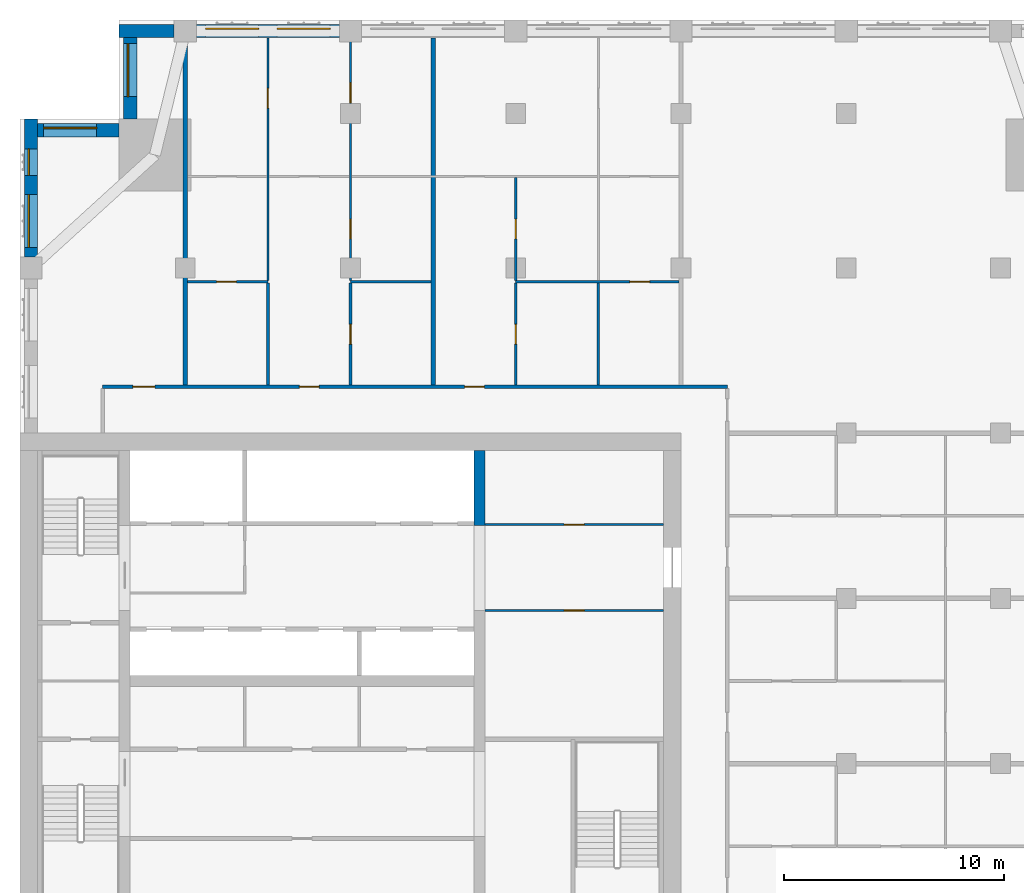
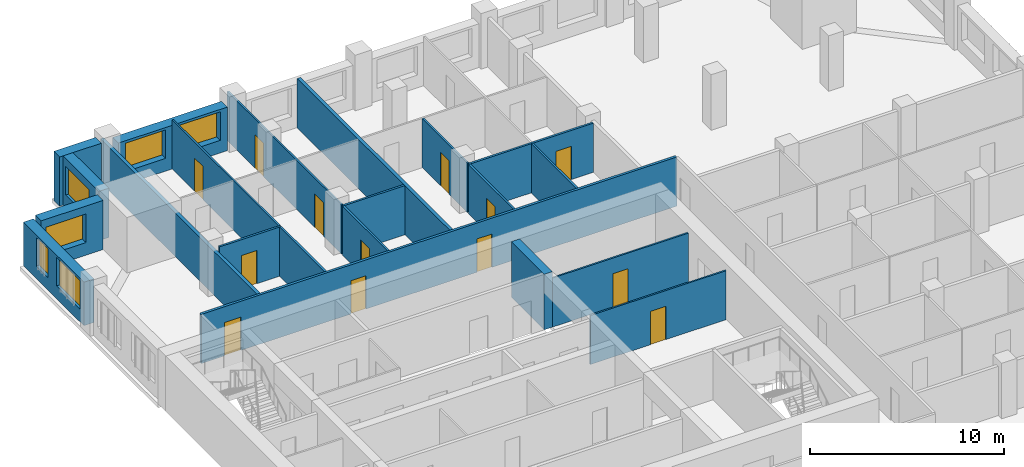
# One storey, part 10 of 14: 21 walls, 13 doors, 6 windows, 19 openings.
"""IFC4 building model written with IfcOpenShell, lengths in metres."""

from ifc_helpers import new_model, si_unit, direction, frame, frame_2d, origin, place, context, subcontext, project, spatial, rectangle, extrude, material, layer, layer_set, type_object, element, fill, save


model = new_model("IFC4")

# Units and contexts
model_context = context("Model", 3, precision=1e-05, world=origin(), true_north=direction((0.0, 1.0)))
body_context = subcontext(model_context, "Body", "Model", "MODEL_VIEW")
ifc_project = project(units=[si_unit("LENGTHUNIT", "METRE"), si_unit("AREAUNIT", "SQUARE_METRE"), si_unit("VOLUMEUNIT", "CUBIC_METRE"), si_unit("PLANEANGLEUNIT", "RADIAN"), si_unit("MASSUNIT", "GRAM", prefix="KILO")], contexts=[model_context])

# Site, building, storey
site_placement = place(None, origin())
site = spatial("IfcSite", under=ifc_project, at=site_placement, CompositionType="ELEMENT")
building_placement = place(site_placement, origin())
building = spatial("IfcBuilding", under=site, at=building_placement, Name="Tamorin Gate", CompositionType="ELEMENT")
storey_placement = place(building_placement, frame((0.0, 0.0, 210.699951171875)))
storey = spatial("IfcBuildingStorey", under=building, at=storey_placement, Name="L52", CompositionType="ELEMENT", Elevation=210.699951171875)

# Wall, openings, windows
ifc_material_1 = material(Name="Precast concrete C40/50", Category="concrete")
ifc_layer_1 = layer(ifc_material_1, 0.60009765625)
ifc_layer_set_1 = layer_set([ifc_layer_1], Name="Precast concrete C40/50")
wall_type_1 = type_object("IfcWallType", Name="Board-marked concrete facade panel 600", PredefinedType="SOLIDWALL", material=ifc_layer_set_1)
wall_1_placement = place(storey_placement, frame((44.5, 100.75, 0.0), z_axis=(0.0, 0.0, 1.0), x_axis=(-1.0, 0.0, 0.0)))
wall_1 = element("IfcWall", 1, at=wall_1_placement, inside=storey, type_object=wall_type_1, Name="Facade panel", PredefinedType="SOLIDWALL", context=body_context, shape_type="SweptSolid", body=[
    extrude(rectangle(XDim=6.5, YDim=0.60009765625, at=frame_2d((3.25, 0.0))), origin(), (0.0, 0.0, 1.0), 2.75),
])
opening_1_placement = place(wall_1_placement, frame((3.675048828125, 0.0, 0.800048828125)))
opening_1 = element("IfcOpeningElement", 2, at=opening_1_placement, cuts=wall_1, Name="Opening WN1", PredefinedType="OPENING", context=body_context, shape_type="SweptSolid", body=[
    extrude(rectangle(XDim=2.39990234375, YDim=1.800048828125, at=frame_2d((1.199951171875, 0.89990234375))), frame((0.0, 0.31005859375, 0.0), z_axis=(0.0, -1.0, 0.0), x_axis=(1.0, 0.0, 0.0)), (0.0, 0.0, 1.0), 0.6201171875),
])
opening_2_placement = place(wall_1_placement, frame((0.425048828125, 0.0, 0.800048828125)))
opening_2 = element("IfcOpeningElement", 3, at=opening_2_placement, cuts=wall_1, Name="Opening WN1", PredefinedType="OPENING", context=body_context, shape_type="SweptSolid", body=[
    extrude(rectangle(XDim=2.39990234375, YDim=1.800048828125, at=frame_2d((1.199951171875, 0.89990234375))), frame((0.0, 0.31005859375, 0.0), z_axis=(0.0, -1.0, 0.0), x_axis=(1.0, 0.0, 0.0)), (0.0, 0.0, 1.0), 0.6201171875),
])
ifc_material_2 = material(Name="Clear glass in aluminium frame", Category="aluminium")
window_type_1 = type_object("IfcWindowType", Name="Deep-set window 2400x1800", PartitioningType="SINGLE_PANEL", PredefinedType="WINDOW", material=ifc_material_2)
window_1_placement = place(opening_1_placement, origin())
window_1 = element("IfcWindow", 4, at=window_1_placement, inside=storey, type_object=window_type_1, Name="Deep-set window", OverallHeight=1.800048828125, OverallWidth=2.39990234375, PartitioningType="SINGLE_PANEL", PredefinedType="WINDOW", context=body_context, shape_type="SweptSolid", body=[
    extrude(rectangle(XDim=2.39990234375, YDim=1.800048828125, at=frame_2d((1.199951171875, 0.89990234375))), frame((0.0, -0.070068359375, 0.0), z_axis=(0.0, -1.0, 0.0), x_axis=(1.0, 0.0, 0.0)), (0.0, 0.0, 1.0), 0.06005859375),
])
fill(opening_1, window_1)
window_2_placement = place(opening_2_placement, origin())
window_2 = element("IfcWindow", 5, at=window_2_placement, inside=storey, type_object=window_type_1, Name="Deep-set window", OverallHeight=1.800048828125, OverallWidth=2.39990234375, PartitioningType="SINGLE_PANEL", PredefinedType="WINDOW", context=body_context, shape_type="SweptSolid", body=[
    extrude(rectangle(XDim=2.39990234375, YDim=1.800048828125, at=frame_2d((1.199951171875, 0.89990234375))), frame((0.0, -0.070068359375, 0.0), z_axis=(0.0, -1.0, 0.0), x_axis=(1.0, 0.0, 0.0)), (0.0, 0.0, 1.0), 0.06005859375),
])
fill(opening_2, window_2)

# Wall
wall_2_placement = place(storey_placement, frame((37.0, 100.75, 0.0), z_axis=(0.0, 0.0, 1.0), x_axis=(-1.0, 0.0, 0.0)))
element("IfcWall", 6, at=wall_2_placement, inside=storey, type_object=wall_type_1, Name="Facade panel", PredefinedType="SOLIDWALL", context=body_context, shape_type="SweptSolid", body=[
    extrude(rectangle(XDim=2.5, YDim=0.60009765625, at=frame_2d((1.25, 0.0))), origin(), (0.0, 0.0, 1.0), 3.10009765625),
])

# Wall, opening, window
wall_3_placement = place(storey_placement, frame((35.0, 100.449951171875, 0.0), z_axis=(0.0, 0.0, 1.0), x_axis=(0.0, -1.0, 0.0)))
wall_3 = element("IfcWall", 7, at=wall_3_placement, inside=storey, type_object=wall_type_1, Name="Facade panel", PredefinedType="SOLIDWALL", context=body_context, shape_type="SweptSolid", body=[
    extrude(rectangle(XDim=3.699951171875, YDim=0.60009765625, at=frame_2d((1.85009765625, 0.0))), origin(), (0.0, 0.0, 1.0), 3.10009765625),
])
opening_3_placement = place(wall_3_placement, frame((0.27490234375, 0.0, 0.800048828125)))
opening_3 = element("IfcOpeningElement", 8, at=opening_3_placement, cuts=wall_3, Name="Opening WN1", PredefinedType="OPENING", context=body_context, shape_type="SweptSolid", body=[
    extrude(rectangle(XDim=2.39990234375, YDim=1.800048828125, at=frame_2d((1.199951171875, 0.89990234375))), frame((0.0, 0.31005859375, 0.0), z_axis=(0.0, -1.0, 0.0), x_axis=(1.0, 0.0, 0.0)), (0.0, 0.0, 1.0), 0.6201171875),
])
window_3_placement = place(opening_3_placement, origin())
window_3 = element("IfcWindow", 9, at=window_3_placement, inside=storey, type_object=window_type_1, Name="Deep-set window", OverallHeight=1.800048828125, OverallWidth=2.39990234375, PartitioningType="SINGLE_PANEL", PredefinedType="WINDOW", context=body_context, shape_type="SweptSolid", body=[
    extrude(rectangle(XDim=2.39990234375, YDim=1.800048828125, at=frame_2d((1.199951171875, 0.89990234375))), frame((0.0, -0.070068359375, 0.0), z_axis=(0.0, -1.0, 0.0), x_axis=(1.0, 0.0, 0.0)), (0.0, 0.0, 1.0), 0.06005859375),
])
fill(opening_3, window_3)

wall_4_placement = place(storey_placement, frame((34.5, 96.25, 0.0), z_axis=(0.0, 0.0, 1.0), x_axis=(-1.0, 0.0, 0.0)))
wall_4 = element("IfcWall", 10, at=wall_4_placement, inside=storey, type_object=wall_type_1, Name="Facade panel", PredefinedType="SOLIDWALL", context=body_context, shape_type="SweptSolid", body=[
    extrude(rectangle(XDim=3.699951171875, YDim=0.60009765625, at=frame_2d((1.85009765625, 0.0))), origin(), (0.0, 0.0, 1.0), 3.10009765625),
])
opening_4_placement = place(wall_4_placement, frame((1.02490234375, 0.0, 0.800048828125)))
opening_4 = element("IfcOpeningElement", 11, at=opening_4_placement, cuts=wall_4, Name="Opening WN1", PredefinedType="OPENING", context=body_context, shape_type="SweptSolid", body=[
    extrude(rectangle(XDim=2.39990234375, YDim=1.800048828125, at=frame_2d((1.199951171875, 0.89990234375))), frame((0.0, 0.31005859375, 0.0), z_axis=(0.0, -1.0, 0.0), x_axis=(1.0, 0.0, 0.0)), (0.0, 0.0, 1.0), 0.6201171875),
])
window_4_placement = place(opening_4_placement, origin())
window_4 = element("IfcWindow", 12, at=window_4_placement, inside=storey, type_object=window_type_1, Name="Deep-set window", OverallHeight=1.800048828125, OverallWidth=2.39990234375, PartitioningType="SINGLE_PANEL", PredefinedType="WINDOW", context=body_context, shape_type="SweptSolid", body=[
    extrude(rectangle(XDim=2.39990234375, YDim=1.800048828125, at=frame_2d((1.199951171875, 0.89990234375))), frame((0.0, -0.070068359375, 0.0), z_axis=(0.0, -1.0, 0.0), x_axis=(1.0, 0.0, 0.0)), (0.0, 0.0, 1.0), 0.06005859375),
])
fill(opening_4, window_4)

# Wall, openings, windows
wall_5_placement = place(storey_placement, frame((30.5, 96.75, 0.0), z_axis=(0.0, 0.0, 1.0), x_axis=(0.0, -1.0, 0.0)))
wall_5 = element("IfcWall", 13, at=wall_5_placement, inside=storey, type_object=wall_type_1, Name="Facade panel", PredefinedType="SOLIDWALL", context=body_context, shape_type="SweptSolid", body=[
    extrude(rectangle(XDim=6.25, YDim=0.60009765625, at=frame_2d((3.125, 0.0))), origin(), (0.0, 0.0, 1.0), 2.75),
])
opening_5_placement = place(wall_5_placement, frame((3.425048828125, 0.0, 0.800048828125)))
opening_5 = element("IfcOpeningElement", 14, at=opening_5_placement, cuts=wall_5, Name="Opening WN1", PredefinedType="OPENING", context=body_context, shape_type="SweptSolid", body=[
    extrude(rectangle(XDim=2.39990234375, YDim=1.800048828125, at=frame_2d((1.199951171875, 0.89990234375))), frame((0.0, 0.31005859375, 0.0), z_axis=(0.0, -1.0, 0.0), x_axis=(1.0, 0.0, 0.0)), (0.0, 0.0, 1.0), 0.6201171875),
])
opening_6_placement = place(wall_5_placement, frame((1.35009765625, 0.0, 0.800048828125)))
opening_6 = element("IfcOpeningElement", 15, at=opening_6_placement, cuts=wall_5, Name="Opening WN3", PredefinedType="OPENING", context=body_context, shape_type="SweptSolid", body=[
    extrude(rectangle(XDim=1.199951171875, YDim=1.800048828125, at=frame_2d((0.60009765625, 0.89990234375))), frame((0.0, 0.31005859375, 0.0), z_axis=(0.0, -1.0, 0.0), x_axis=(1.0, 0.0, 0.0)), (0.0, 0.0, 1.0), 0.6201171875),
])
window_type_2 = type_object("IfcWindowType", Name="Deep-set window 1200x1800", PartitioningType="SINGLE_PANEL", PredefinedType="WINDOW", material=ifc_material_2)
window_5_placement = place(opening_6_placement, origin())
window_5 = element("IfcWindow", 16, at=window_5_placement, inside=storey, type_object=window_type_2, Name="Deep-set window", OverallHeight=1.800048828125, OverallWidth=1.199951171875, PartitioningType="SINGLE_PANEL", PredefinedType="WINDOW", context=body_context, shape_type="SweptSolid", body=[
    extrude(rectangle(XDim=1.199951171875, YDim=1.800048828125, at=frame_2d((0.60009765625, 0.89990234375))), frame((0.0, -0.070068359375, 0.0), z_axis=(0.0, -1.0, 0.0), x_axis=(1.0, 0.0, 0.0)), (0.0, 0.0, 1.0), 0.06005859375),
])
fill(opening_6, window_5)
window_6_placement = place(opening_5_placement, origin())
window_6 = element("IfcWindow", 17, at=window_6_placement, inside=storey, type_object=window_type_1, Name="Deep-set window", OverallHeight=1.800048828125, OverallWidth=2.39990234375, PartitioningType="SINGLE_PANEL", PredefinedType="WINDOW", context=body_context, shape_type="SweptSolid", body=[
    extrude(rectangle(XDim=2.39990234375, YDim=1.800048828125, at=frame_2d((1.199951171875, 0.89990234375))), frame((0.0, -0.070068359375, 0.0), z_axis=(0.0, -1.0, 0.0), x_axis=(1.0, 0.0, 0.0)), (0.0, 0.0, 1.0), 0.06005859375),
])
fill(opening_5, window_6)

# Wall, openings, doors
ifc_material_3 = material(Name="Gypsum board partition")
ifc_layer_2 = layer(ifc_material_3, 0.14990234375)
ifc_layer_set_2 = layer_set([ifc_layer_2], Name="Corridor wall 150")
wall_type_2 = type_object("IfcWallType", Name="Corridor wall 150", PredefinedType="PARTITIONING", material=ifc_layer_set_2)
wall_6_placement = place(storey_placement, frame((33.75, 84.60009765625, 0.0), z_axis=(0.0, 0.0, 1.0), x_axis=(1.0, 0.0, 0.0)))
wall_6 = element("IfcWall", 18, at=wall_6_placement, inside=storey, type_object=wall_type_2, Name="Corridor wall 150", PredefinedType="PARTITIONING", context=body_context, shape_type="SweptSolid", body=[
    extrude(rectangle(XDim=28.35009765625, YDim=0.14990234375, at=frame_2d((14.175048828125, 0.0))), origin(), (0.0, 0.0, 1.0), 3.10009765625),
])
opening_7_placement = place(wall_6_placement, frame((1.375, 0.0, 0.0)))
opening_7 = element("IfcOpeningElement", 19, at=opening_7_placement, cuts=wall_6, Name="Opening DR2019", PredefinedType="OPENING", context=body_context, shape_type="SweptSolid", body=[
    extrude(rectangle(XDim=1.0, YDim=2.10009765625, at=frame_2d((0.5, 1.050048828125))), frame((0.0, 0.0849609375, 0.0), z_axis=(0.0, -1.0, 0.0), x_axis=(1.0, 0.0, 0.0)), (0.0, 0.0, 1.0), 0.169921875),
])
opening_8_placement = place(wall_6_placement, frame((8.925048828125, 0.0, 0.0)))
opening_8 = element("IfcOpeningElement", 20, at=opening_8_placement, cuts=wall_6, Name="Opening DR2022", PredefinedType="OPENING", context=body_context, shape_type="SweptSolid", body=[
    extrude(rectangle(XDim=0.89990234375, YDim=2.10009765625, at=frame_2d((0.449951171875, 1.050048828125))), frame((0.0, 0.0849609375, 0.0), z_axis=(0.0, -1.0, 0.0), x_axis=(1.0, 0.0, 0.0)), (0.0, 0.0, 1.0), 0.169921875),
])
opening_9_placement = place(wall_6_placement, frame((16.425048828125, 0.0, 0.0)))
opening_9 = element("IfcOpeningElement", 21, at=opening_9_placement, cuts=wall_6, Name="Opening DR2028", PredefinedType="OPENING", context=body_context, shape_type="SweptSolid", body=[
    extrude(rectangle(XDim=0.89990234375, YDim=2.10009765625, at=frame_2d((0.449951171875, 1.050048828125))), frame((0.0, 0.0849609375, 0.0), z_axis=(0.0, -1.0, 0.0), x_axis=(1.0, 0.0, 0.0)), (0.0, 0.0, 1.0), 0.169921875),
])
ifc_material_4 = material(Name="Timber door leaf", Category="wood")
door_type_1 = type_object("IfcDoorType", Name="Door 1000 x 2100 FD30S", OperationType="NOTDEFINED", PredefinedType="DOOR", material=ifc_material_4)
door_1_placement = place(opening_7_placement, origin())
door_1 = element("IfcDoor", 22, at=door_1_placement, inside=storey, type_object=door_type_1, Name="Door DR2019", OperationType="SINGLE_SWING_LEFT", OverallHeight=2.10009765625, OverallWidth=1.0, PredefinedType="DOOR", context=body_context, shape_type="SweptSolid", body=[
    extrude(rectangle(XDim=1.0, YDim=2.10009765625, at=frame_2d((0.5, 1.050048828125))), frame((0.0, 0.02490234375, 0.0), z_axis=(0.0, -1.0, 0.0), x_axis=(1.0, 0.0, 0.0)), (0.0, 0.0, 1.0), 0.050048828125),
])
fill(opening_7, door_1)
door_type_2 = type_object("IfcDoorType", Name="Door 900 x 2100 FD30S", OperationType="NOTDEFINED", PredefinedType="DOOR", material=ifc_material_4)
door_2_placement = place(opening_8_placement, origin())
door_2 = element("IfcDoor", 23, at=door_2_placement, inside=storey, type_object=door_type_2, Name="Door DR2022", OperationType="SINGLE_SWING_LEFT", OverallHeight=2.10009765625, OverallWidth=0.89990234375, PredefinedType="DOOR", context=body_context, shape_type="SweptSolid", body=[
    extrude(rectangle(XDim=0.89990234375, YDim=2.10009765625, at=frame_2d((0.449951171875, 1.050048828125))), frame((0.0, 0.02490234375, 0.0), z_axis=(0.0, -1.0, 0.0), x_axis=(1.0, 0.0, 0.0)), (0.0, 0.0, 1.0), 0.050048828125),
])
fill(opening_8, door_2)
door_3_placement = place(opening_9_placement, origin())
door_3 = element("IfcDoor", 24, at=door_3_placement, inside=storey, type_object=door_type_2, Name="Door DR2028", OperationType="SINGLE_SWING_LEFT", OverallHeight=2.10009765625, OverallWidth=0.89990234375, PredefinedType="DOOR", context=body_context, shape_type="SweptSolid", body=[
    extrude(rectangle(XDim=0.89990234375, YDim=2.10009765625, at=frame_2d((0.449951171875, 1.050048828125))), frame((0.0, 0.02490234375, 0.0), z_axis=(0.0, -1.0, 0.0), x_axis=(1.0, 0.0, 0.0)), (0.0, 0.0, 1.0), 0.050048828125),
])
fill(opening_9, door_3)

# Walls
ifc_layer_3 = layer(ifc_material_3, 0.199951171875)
ifc_layer_set_3 = layer_set([ifc_layer_3], Name="Demising wall 200")
wall_type_3 = type_object("IfcWallType", Name="Demising wall 200", PredefinedType="PARTITIONING", material=ifc_layer_set_3)
wall_7_placement = place(storey_placement, frame((37.5, 84.675048828125, 0.0), z_axis=(0.0, 0.0, 1.0), x_axis=(0.0, 1.0, 0.0)))
element("IfcWall", 25, at=wall_7_placement, inside=storey, type_object=wall_type_3, Name="Demising wall 200", PredefinedType="PARTITIONING", context=body_context, shape_type="SweptSolid", body=[
    extrude(rectangle(XDim=16.574951171875, YDim=0.199951171875, at=frame_2d((8.28759765625, 0.0))), origin(), (0.0, 0.0, 1.0), 2.75),
])
wall_8_placement = place(storey_placement, frame((48.75, 84.675048828125, 0.0), z_axis=(0.0, 0.0, 1.0), x_axis=(0.0, 1.0, 0.0)))
element("IfcWall", 26, at=wall_8_placement, inside=storey, type_object=wall_type_3, Name="Demising wall 200", PredefinedType="PARTITIONING", context=body_context, shape_type="SweptSolid", body=[
    extrude(rectangle(XDim=15.764892578125, YDim=0.199951171875, at=frame_2d((7.88232421875, 0.0))), origin(), (0.0, 0.0, 1.0), 3.10009765625),
])
ifc_material_5 = material(Name="Concrete C60/75", Category="concrete")
ifc_layer_4 = layer(ifc_material_5, 0.5)
ifc_layer_set_4 = layer_set([ifc_layer_4], Name="RC core internal wall 500 C60/75")
wall_type_4 = type_object("IfcWallType", Name="RC core internal wall 500 C60/75", PredefinedType="SHEAR", material=ifc_layer_set_4)
wall_9_placement = place(storey_placement, frame((50.85009765625, 78.300048828125, 0.0), z_axis=(0.0, 0.0, 1.0), x_axis=(0.0, 1.0, 0.0)))
element("IfcWall", 27, at=wall_9_placement, inside=storey, type_object=wall_type_4, Name="Core cross wall L52", PredefinedType="SHEAR", context=body_context, shape_type="SweptSolid", body=[
    extrude(rectangle(XDim=3.39990234375, YDim=0.5, at=frame_2d((1.699951171875, 0.0))), origin(), (0.0, 0.0, 1.0), 3.5),
])

# Wall, opening, door
ifc_layer_5 = layer(ifc_material_3, 0.10009765625)
ifc_layer_set_5 = layer_set([ifc_layer_5], Name="Room partition 100")
wall_type_5 = type_object("IfcWallType", Name="Room partition 100", PredefinedType="PARTITIONING", material=ifc_layer_set_5)
wall_10_placement = place(storey_placement, frame((41.25, 89.4375, 0.0), z_axis=(0.0, 0.0, 1.0), x_axis=(0.0, 1.0, 0.0)))
wall_10 = element("IfcWall", 28, at=wall_10_placement, inside=storey, type_object=wall_type_5, Name="Room partition 100", PredefinedType="PARTITIONING", context=body_context, shape_type="SweptSolid", body=[
    extrude(rectangle(XDim=11.00244140625, YDim=0.10009765625, at=frame_2d((5.501220703125, 0.0))), origin(), (0.0, 0.0, 1.0), 3.10009765625),
])
opening_10_placement = place(wall_10_placement, frame((7.8125, 0.0, 0.0)))
opening_10 = element("IfcOpeningElement", 29, at=opening_10_placement, cuts=wall_10, Name="Opening DR2026", PredefinedType="OPENING", context=body_context, shape_type="SweptSolid", body=[
    extrude(rectangle(XDim=0.89990234375, YDim=2.10009765625, at=frame_2d((0.449951171875, 1.050048828125))), frame((0.0, 0.06005859375, 0.0), z_axis=(0.0, -1.0, 0.0), x_axis=(1.0, 0.0, 0.0)), (0.0, 0.0, 1.0), 0.1201171875),
])
door_type_3 = type_object("IfcDoorType", Name="Door 900 x 2100", OperationType="NOTDEFINED", PredefinedType="DOOR", material=ifc_material_4)
door_4_placement = place(opening_10_placement, origin())
door_4 = element("IfcDoor", 30, at=door_4_placement, inside=storey, type_object=door_type_3, Name="Door DR2026", OperationType="SINGLE_SWING_RIGHT", OverallHeight=2.10009765625, OverallWidth=0.89990234375, PredefinedType="DOOR", context=body_context, shape_type="SweptSolid", body=[
    extrude(rectangle(XDim=0.89990234375, YDim=2.10009765625, at=frame_2d((0.449951171875, 1.050048828125))), frame((0.0, 0.02490234375, 0.0), z_axis=(0.0, -1.0, 0.0), x_axis=(1.0, 0.0, 0.0)), (0.0, 0.0, 1.0), 0.050048828125),
])
fill(opening_10, door_4)

# Wall, openings, doors
wall_11_placement = place(storey_placement, frame((45.0, 89.4375, 0.0), z_axis=(0.0, 0.0, 1.0), x_axis=(0.0, 1.0, 0.0)))
wall_11 = element("IfcWall", 31, at=wall_11_placement, inside=storey, type_object=wall_type_5, Name="Room partition 100", PredefinedType="PARTITIONING", context=body_context, shape_type="SweptSolid", body=[
    extrude(rectangle(XDim=11.8125, YDim=0.10009765625, at=frame_2d((5.90625, 0.0))), origin(), (0.0, 0.0, 1.0), 3.10009765625),
])
opening_11_placement = place(wall_11_placement, frame((1.875, 0.0, 0.0)))
opening_11 = element("IfcOpeningElement", 32, at=opening_11_placement, cuts=wall_11, Name="Opening DR2024", PredefinedType="OPENING", context=body_context, shape_type="SweptSolid", body=[
    extrude(rectangle(XDim=0.89990234375, YDim=2.10009765625, at=frame_2d((0.449951171875, 1.050048828125))), frame((0.0, 0.06005859375, 0.0), z_axis=(0.0, -1.0, 0.0), x_axis=(1.0, 0.0, 0.0)), (0.0, 0.0, 1.0), 0.1201171875),
])
opening_12_placement = place(wall_11_placement, frame((8.0625, 0.0, 0.0)))
opening_12 = element("IfcOpeningElement", 33, at=opening_12_placement, cuts=wall_11, Name="Opening DR2027", PredefinedType="OPENING", context=body_context, shape_type="SweptSolid", body=[
    extrude(rectangle(XDim=0.89990234375, YDim=2.10009765625, at=frame_2d((0.449951171875, 1.050048828125))), frame((0.0, 0.06005859375, 0.0), z_axis=(0.0, -1.0, 0.0), x_axis=(1.0, 0.0, 0.0)), (0.0, 0.0, 1.0), 0.1201171875),
])
door_5_placement = place(opening_11_placement, origin())
door_5 = element("IfcDoor", 34, at=door_5_placement, inside=storey, type_object=door_type_3, Name="Door DR2024", OperationType="SINGLE_SWING_LEFT", OverallHeight=2.10009765625, OverallWidth=0.89990234375, PredefinedType="DOOR", context=body_context, shape_type="SweptSolid", body=[
    extrude(rectangle(XDim=0.89990234375, YDim=2.10009765625, at=frame_2d((0.449951171875, 1.050048828125))), frame((0.0, 0.02490234375, 0.0), z_axis=(0.0, -1.0, 0.0), x_axis=(1.0, 0.0, 0.0)), (0.0, 0.0, 1.0), 0.050048828125),
])
fill(opening_11, door_5)
door_6_placement = place(opening_12_placement, origin())
door_6 = element("IfcDoor", 35, at=door_6_placement, inside=storey, type_object=door_type_3, Name="Door DR2027", OperationType="SINGLE_SWING_RIGHT", OverallHeight=2.10009765625, OverallWidth=0.89990234375, PredefinedType="DOOR", context=body_context, shape_type="SweptSolid", body=[
    extrude(rectangle(XDim=0.89990234375, YDim=2.10009765625, at=frame_2d((0.449951171875, 1.050048828125))), frame((0.0, 0.02490234375, 0.0), z_axis=(0.0, -1.0, 0.0), x_axis=(1.0, 0.0, 0.0)), (0.0, 0.0, 1.0), 0.050048828125),
])
fill(opening_12, door_6)

# Wall, opening, door
wall_12_placement = place(storey_placement, frame((52.5, 89.4375, 0.0), z_axis=(0.0, 0.0, 1.0), x_axis=(0.0, 1.0, 0.0)))
wall_12 = element("IfcWall", 36, at=wall_12_placement, inside=storey, type_object=wall_type_5, Name="Room partition 100", PredefinedType="PARTITIONING", context=body_context, shape_type="SweptSolid", body=[
    extrude(rectangle(XDim=4.66259765625, YDim=0.10009765625, at=frame_2d((2.331298828125, 0.0))), origin(), (0.0, 0.0, 1.0), 3.10009765625),
])
opening_13_placement = place(wall_12_placement, frame((1.875, 0.0, 0.0)))
opening_13 = element("IfcOpeningElement", 37, at=opening_13_placement, cuts=wall_12, Name="Opening DR2030", PredefinedType="OPENING", context=body_context, shape_type="SweptSolid", body=[
    extrude(rectangle(XDim=0.89990234375, YDim=2.10009765625, at=frame_2d((0.449951171875, 1.050048828125))), frame((0.0, 0.06005859375, 0.0), z_axis=(0.0, -1.0, 0.0), x_axis=(1.0, 0.0, 0.0)), (0.0, 0.0, 1.0), 0.1201171875),
])
door_7_placement = place(opening_13_placement, origin())
door_7 = element("IfcDoor", 38, at=door_7_placement, inside=storey, type_object=door_type_3, Name="Door DR2030", OperationType="SINGLE_SWING_LEFT", OverallHeight=2.10009765625, OverallWidth=0.89990234375, PredefinedType="DOOR", context=body_context, shape_type="SweptSolid", body=[
    extrude(rectangle(XDim=0.89990234375, YDim=2.10009765625, at=frame_2d((0.449951171875, 1.050048828125))), frame((0.0, 0.02490234375, 0.0), z_axis=(0.0, -1.0, 0.0), x_axis=(1.0, 0.0, 0.0)), (0.0, 0.0, 1.0), 0.050048828125),
])
fill(opening_13, door_7)

ifc_layer_6 = layer(ifc_material_3, 0.10009765625)
ifc_layer_set_6 = layer_set([ifc_layer_6], Name="Service room partition 100 EI 60")
wall_type_6 = type_object("IfcWallType", Name="Service room partition 100 EI 60", PredefinedType="PARTITIONING", material=ifc_layer_set_6)
wall_13_placement = place(storey_placement, frame((51.10009765625, 74.449951171875, 0.0), z_axis=(0.0, 0.0, 1.0), x_axis=(1.0, 0.0, 0.0)))
wall_13 = element("IfcWall", 39, at=wall_13_placement, inside=storey, type_object=wall_type_6, Name="Service room wall", PredefinedType="PARTITIONING", context=body_context, shape_type="SweptSolid", body=[
    extrude(rectangle(XDim=8.099853515625, YDim=0.10009765625, at=frame_2d((4.0498046875, 0.0))), origin(), (0.0, 0.0, 1.0), 3.090087890625),
])
opening_14_placement = place(wall_13_placement, frame((3.60009765625, 0.0, 0.0)))
opening_14 = element("IfcOpeningElement", 40, at=opening_14_placement, cuts=wall_13, Name="Opening DR1", PredefinedType="OPENING", context=body_context, shape_type="SweptSolid", body=[
    extrude(rectangle(XDim=0.89990234375, YDim=2.10009765625, at=frame_2d((0.449951171875, 1.050048828125))), frame((0.0, 0.06005859375, 0.0), z_axis=(0.0, -1.0, 0.0), x_axis=(1.0, 0.0, 0.0)), (0.0, 0.0, 1.0), 0.1201171875),
])
ifc_material_6 = material(Name="Steel fire door", Category="steel")
door_type_4 = type_object("IfcDoorType", Name="Riser access door 900 x 2100 EI 120", OperationType="SINGLE_SWING_LEFT", PredefinedType="DOOR", material=ifc_material_6)
door_8_placement = place(opening_14_placement, origin())
door_8 = element("IfcDoor", 41, at=door_8_placement, inside=storey, type_object=door_type_4, Name="Duct riser door", OperationType="SINGLE_SWING_RIGHT", OverallHeight=2.10009765625, OverallWidth=0.89990234375, PredefinedType="DOOR", context=body_context, shape_type="SweptSolid", body=[
    extrude(rectangle(XDim=0.89990234375, YDim=2.10009765625, at=frame_2d((0.449951171875, 1.050048828125))), frame((0.0, 0.02490234375, 0.0), z_axis=(0.0, -1.0, 0.0), x_axis=(1.0, 0.0, 0.0)), (0.0, 0.0, 1.0), 0.050048828125),
])
fill(opening_14, door_8)

wall_14_placement = place(storey_placement, frame((51.10009765625, 78.35009765625, 0.0), z_axis=(0.0, 0.0, 1.0), x_axis=(1.0, 0.0, 0.0)))
wall_14 = element("IfcWall", 42, at=wall_14_placement, inside=storey, type_object=wall_type_6, Name="Service room wall", PredefinedType="PARTITIONING", context=body_context, shape_type="SweptSolid", body=[
    extrude(rectangle(XDim=8.099853515625, YDim=0.10009765625, at=frame_2d((4.0498046875, 0.0))), origin(), (0.0, 0.0, 1.0), 3.090087890625),
])
opening_15_placement = place(wall_14_placement, frame((3.60009765625, 0.0, 0.0)))
opening_15 = element("IfcOpeningElement", 43, at=opening_15_placement, cuts=wall_14, Name="Opening DK1", PredefinedType="OPENING", context=body_context, shape_type="SweptSolid", body=[
    extrude(rectangle(XDim=0.89990234375, YDim=2.10009765625, at=frame_2d((0.449951171875, 1.050048828125))), frame((0.0, 0.06005859375, 0.0), z_axis=(0.0, -1.0, 0.0), x_axis=(1.0, 0.0, 0.0)), (0.0, 0.0, 1.0), 0.1201171875),
])
ifc_material_7 = material(Name="Timber fire door", Category="wood")
door_type_5 = type_object("IfcDoorType", Name="Service room door 900 x 2100 EI 60", OperationType="SINGLE_SWING_LEFT", PredefinedType="DOOR", material=ifc_material_7)
door_9_placement = place(opening_15_placement, origin())
door_9 = element("IfcDoor", 44, at=door_9_placement, inside=storey, type_object=door_type_5, Name="Door Store", OperationType="SINGLE_SWING_RIGHT", OverallHeight=2.10009765625, OverallWidth=0.89990234375, PredefinedType="DOOR", context=body_context, shape_type="SweptSolid", body=[
    extrude(rectangle(XDim=0.89990234375, YDim=2.10009765625, at=frame_2d((0.449951171875, 1.050048828125))), frame((0.0, 0.02490234375, 0.0), z_axis=(0.0, -1.0, 0.0), x_axis=(1.0, 0.0, 0.0)), (0.0, 0.0, 1.0), 0.050048828125),
])
fill(opening_15, door_9)

ifc_layer_7 = layer(ifc_material_3, 0.125)
ifc_layer_set_7 = layer_set([ifc_layer_7], Name="Wet wall 125")
wall_type_7 = type_object("IfcWallType", Name="Wet wall 125", PredefinedType="PARTITIONING", material=ifc_layer_set_7)
wall_15_placement = place(storey_placement, frame((37.60009765625, 89.375, 0.0), z_axis=(0.0, 0.0, 1.0), x_axis=(1.0, 0.0, 0.0)))
wall_15 = element("IfcWall", 45, at=wall_15_placement, inside=storey, type_object=wall_type_7, Name="Wet wall 125", PredefinedType="PARTITIONING", context=body_context, shape_type="SweptSolid", body=[
    extrude(rectangle(XDim=3.64990234375, YDim=0.125, at=frame_2d((1.824951171875, 0.0))), origin(), (0.0, 0.0, 1.0), 3.10009765625),
])
opening_16_placement = place(wall_15_placement, frame((1.324951171875, 0.0, 0.0)))
opening_16 = element("IfcOpeningElement", 46, at=opening_16_placement, cuts=wall_15, Name="Opening DR2021", PredefinedType="OPENING", context=body_context, shape_type="SweptSolid", body=[
    extrude(rectangle(XDim=0.89990234375, YDim=2.10009765625, at=frame_2d((0.449951171875, 1.050048828125))), frame((0.0, 0.072509765625, 0.0), z_axis=(0.0, -1.0, 0.0), x_axis=(1.0, 0.0, 0.0)), (0.0, 0.0, 1.0), 0.14501953125),
])
door_10_placement = place(opening_16_placement, origin())
door_10 = element("IfcDoor", 47, at=door_10_placement, inside=storey, type_object=door_type_3, Name="Door DR2021", OperationType="SINGLE_SWING_RIGHT", OverallHeight=2.10009765625, OverallWidth=0.89990234375, PredefinedType="DOOR", context=body_context, shape_type="SweptSolid", body=[
    extrude(rectangle(XDim=0.89990234375, YDim=2.10009765625, at=frame_2d((0.449951171875, 1.050048828125))), frame((0.0, 0.02490234375, 0.0), z_axis=(0.0, -1.0, 0.0), x_axis=(1.0, 0.0, 0.0)), (0.0, 0.0, 1.0), 0.050048828125),
])
fill(opening_16, door_10)

# Wall
wall_16_placement = place(storey_placement, frame((45.0, 89.375, 0.0), z_axis=(0.0, 0.0, 1.0), x_axis=(1.0, 0.0, 0.0)))
element("IfcWall", 48, at=wall_16_placement, inside=storey, type_object=wall_type_7, Name="Wet wall 125", PredefinedType="PARTITIONING", context=body_context, shape_type="SweptSolid", body=[
    extrude(rectangle(XDim=3.64990234375, YDim=0.125, at=frame_2d((1.824951171875, 0.0))), origin(), (0.0, 0.0, 1.0), 3.10009765625),
])

# Wall, opening, door
wall_17_placement = place(storey_placement, frame((52.5, 89.375, 0.0), z_axis=(0.0, 0.0, 1.0), x_axis=(1.0, 0.0, 0.0)))
wall_17 = element("IfcWall", 49, at=wall_17_placement, inside=storey, type_object=wall_type_7, Name="Wet wall 125", PredefinedType="PARTITIONING", context=body_context, shape_type="SweptSolid", body=[
    extrude(rectangle(XDim=7.39990234375, YDim=0.125, at=frame_2d((3.699951171875, 0.0))), origin(), (0.0, 0.0, 1.0), 3.10009765625),
])
opening_17_placement = place(wall_17_placement, frame((5.175048828125, 0.0, 0.0)))
opening_17 = element("IfcOpeningElement", 50, at=opening_17_placement, cuts=wall_17, Name="Opening DR2033", PredefinedType="OPENING", context=body_context, shape_type="SweptSolid", body=[
    extrude(rectangle(XDim=0.89990234375, YDim=2.10009765625, at=frame_2d((0.449951171875, 1.050048828125))), frame((0.0, 0.072509765625, 0.0), z_axis=(0.0, -1.0, 0.0), x_axis=(1.0, 0.0, 0.0)), (0.0, 0.0, 1.0), 0.14501953125),
])
door_11_placement = place(opening_17_placement, origin())
door_11 = element("IfcDoor", 51, at=door_11_placement, inside=storey, type_object=door_type_3, Name="Door DR2033", OperationType="SINGLE_SWING_RIGHT", OverallHeight=2.10009765625, OverallWidth=0.89990234375, PredefinedType="DOOR", context=body_context, shape_type="SweptSolid", body=[
    extrude(rectangle(XDim=0.89990234375, YDim=2.10009765625, at=frame_2d((0.449951171875, 1.050048828125))), frame((0.0, 0.02490234375, 0.0), z_axis=(0.0, -1.0, 0.0), x_axis=(1.0, 0.0, 0.0)), (0.0, 0.0, 1.0), 0.050048828125),
])
fill(opening_17, door_11)

# Wall
wall_18_placement = place(storey_placement, frame((41.25, 84.675048828125, 0.0), z_axis=(0.0, 0.0, 1.0), x_axis=(0.0, 1.0, 0.0)))
element("IfcWall", 52, at=wall_18_placement, inside=storey, type_object=wall_type_7, Name="Wet wall 125", PredefinedType="PARTITIONING", context=body_context, shape_type="SweptSolid", body=[
    extrude(rectangle(XDim=4.637451171875, YDim=0.125, at=frame_2d((2.31884765625, 0.0))), origin(), (0.0, 0.0, 1.0), 3.10009765625),
])

# Wall, opening, door
wall_19_placement = place(storey_placement, frame((45.0, 84.675048828125, 0.0), z_axis=(0.0, 0.0, 1.0), x_axis=(0.0, 1.0, 0.0)))
wall_19 = element("IfcWall", 53, at=wall_19_placement, inside=storey, type_object=wall_type_7, Name="Wet wall 125", PredefinedType="PARTITIONING", context=body_context, shape_type="SweptSolid", body=[
    extrude(rectangle(XDim=4.637451171875, YDim=0.125, at=frame_2d((2.31884765625, 0.0))), origin(), (0.0, 0.0, 1.0), 3.10009765625),
])
opening_18_placement = place(wall_19_placement, frame((1.862548828125, 0.0, 0.0)))
opening_18 = element("IfcOpeningElement", 54, at=opening_18_placement, cuts=wall_19, Name="Opening DR2025", PredefinedType="OPENING", context=body_context, shape_type="SweptSolid", body=[
    extrude(rectangle(XDim=0.89990234375, YDim=2.10009765625, at=frame_2d((0.449951171875, 1.050048828125))), frame((0.0, 0.072509765625, 0.0), z_axis=(0.0, -1.0, 0.0), x_axis=(1.0, 0.0, 0.0)), (0.0, 0.0, 1.0), 0.14501953125),
])
door_12_placement = place(opening_18_placement, origin())
door_12 = element("IfcDoor", 55, at=door_12_placement, inside=storey, type_object=door_type_3, Name="Door DR2025", OperationType="SINGLE_SWING_RIGHT", OverallHeight=2.10009765625, OverallWidth=0.89990234375, PredefinedType="DOOR", context=body_context, shape_type="SweptSolid", body=[
    extrude(rectangle(XDim=0.89990234375, YDim=2.10009765625, at=frame_2d((0.449951171875, 1.050048828125))), frame((0.0, 0.02490234375, 0.0), z_axis=(0.0, -1.0, 0.0), x_axis=(1.0, 0.0, 0.0)), (0.0, 0.0, 1.0), 0.050048828125),
])
fill(opening_18, door_12)

wall_20_placement = place(storey_placement, frame((52.5, 84.675048828125, 0.0), z_axis=(0.0, 0.0, 1.0), x_axis=(0.0, 1.0, 0.0)))
wall_20 = element("IfcWall", 56, at=wall_20_placement, inside=storey, type_object=wall_type_7, Name="Wet wall 125", PredefinedType="PARTITIONING", context=body_context, shape_type="SweptSolid", body=[
    extrude(rectangle(XDim=4.637451171875, YDim=0.125, at=frame_2d((2.31884765625, 0.0))), origin(), (0.0, 0.0, 1.0), 3.10009765625),
])
opening_19_placement = place(wall_20_placement, frame((1.862548828125, 0.0, 0.0)))
opening_19 = element("IfcOpeningElement", 57, at=opening_19_placement, cuts=wall_20, Name="Opening DR2031", PredefinedType="OPENING", context=body_context, shape_type="SweptSolid", body=[
    extrude(rectangle(XDim=0.89990234375, YDim=2.10009765625, at=frame_2d((0.449951171875, 1.050048828125))), frame((0.0, 0.072509765625, 0.0), z_axis=(0.0, -1.0, 0.0), x_axis=(1.0, 0.0, 0.0)), (0.0, 0.0, 1.0), 0.14501953125),
])
door_13_placement = place(opening_19_placement, origin())
door_13 = element("IfcDoor", 58, at=door_13_placement, inside=storey, type_object=door_type_3, Name="Door DR2031", OperationType="SINGLE_SWING_RIGHT", OverallHeight=2.10009765625, OverallWidth=0.89990234375, PredefinedType="DOOR", context=body_context, shape_type="SweptSolid", body=[
    extrude(rectangle(XDim=0.89990234375, YDim=2.10009765625, at=frame_2d((0.449951171875, 1.050048828125))), frame((0.0, 0.02490234375, 0.0), z_axis=(0.0, -1.0, 0.0), x_axis=(1.0, 0.0, 0.0)), (0.0, 0.0, 1.0), 0.050048828125),
])
fill(opening_19, door_13)

# Wall
wall_21_placement = place(storey_placement, frame((56.25, 84.675048828125, 0.0), z_axis=(0.0, 0.0, 1.0), x_axis=(0.0, 1.0, 0.0)))
element("IfcWall", 59, at=wall_21_placement, inside=storey, type_object=wall_type_7, Name="Wet wall 125", PredefinedType="PARTITIONING", context=body_context, shape_type="SweptSolid", body=[
    extrude(rectangle(XDim=4.637451171875, YDim=0.125, at=frame_2d((2.31884765625, 0.0))), origin(), (0.0, 0.0, 1.0), 3.10009765625),
])

save(model, "model.ifc")
